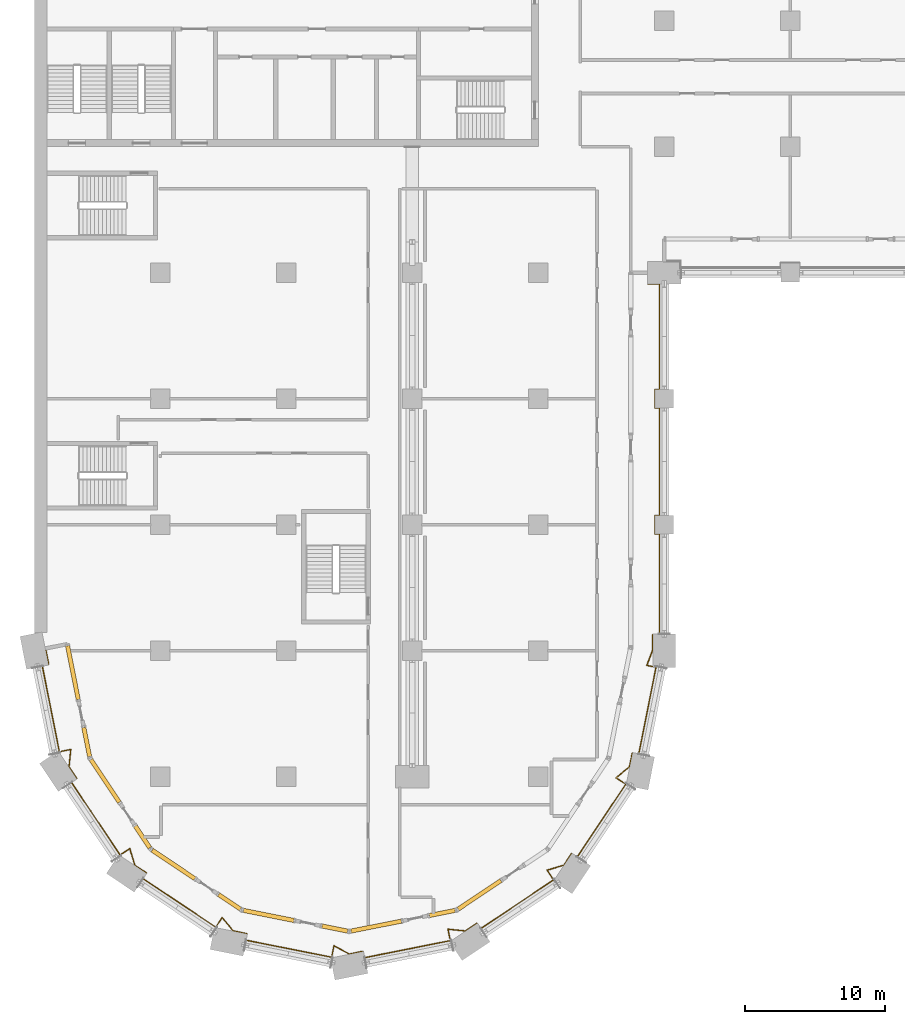
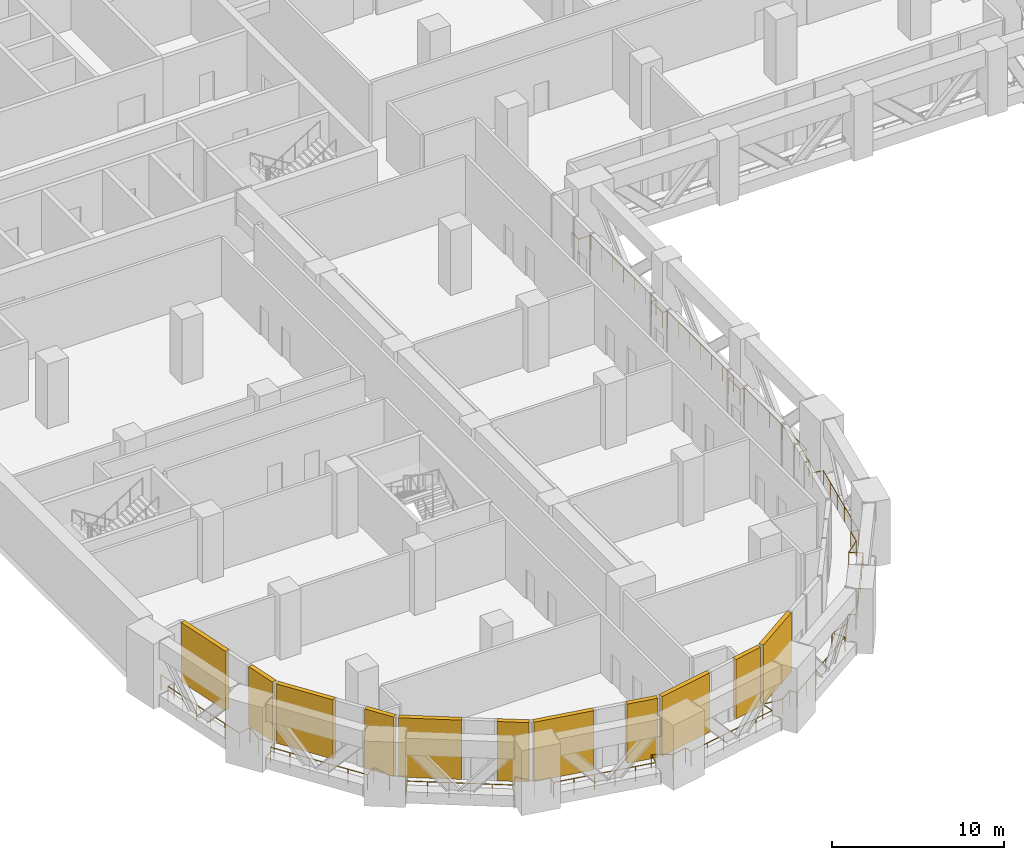
# One storey, part 20 of 24: 11 shading devices, 1 railing.
"""IFC4 building model written with IfcOpenShell, lengths in metres."""

from ifc_helpers import new_model, si_unit, direction, frame, origin, origin_2d, place, context, subcontext, project, spatial, rectangle, circle, extrude, material, layer, layer_set, type_object, element, save


model = new_model("IFC4")

# Units and contexts
model_context = context("Model", 3, precision=1e-05, world=origin(), true_north=direction((0.0, 1.0)))
body_context = subcontext(model_context, "Body", "Model", "MODEL_VIEW")
ifc_project = project(units=[si_unit("LENGTHUNIT", "METRE"), si_unit("AREAUNIT", "SQUARE_METRE"), si_unit("VOLUMEUNIT", "CUBIC_METRE"), si_unit("PLANEANGLEUNIT", "RADIAN"), si_unit("MASSUNIT", "GRAM", prefix="KILO")], contexts=[model_context])

# Site, building, storey
site_placement = place(None, origin())
site = spatial("IfcSite", under=ifc_project, at=site_placement, CompositionType="ELEMENT")
building_placement = place(site_placement, origin())
building = spatial("IfcBuilding", under=site, at=building_placement, Name="Hunhe Ridgeline Campus", CompositionType="ELEMENT")
storey_placement = place(building_placement, frame((0.0, 0.0, 80.199951171875)))
storey = spatial("IfcBuildingStorey", under=building, at=storey_placement, Name="L19", CompositionType="ELEMENT", Elevation=80.199951171875)

# Railing
ifc_material_1 = material(Name="Steel Q355", Category="steel")
railing_type = type_object("IfcRailingType", Name="Loggia guard 1100 Steel Q355", PredefinedType="GUARDRAIL", material=ifc_material_1)
railing_placement = place(storey_placement, frame((0.80419921875, 27.159912109375, 0.0)))
element("IfcRailing", 1, at=railing_placement, inside=storey, type_object=railing_type, Name="Loggia guard 1", PredefinedType="GUARDRAIL", context=body_context, shape_type="SweptSolid", body=[
    extrude(circle(Radius=0.02392578125, at=origin_2d()), frame((0.0, 0.0, 1.076171875), z_axis=(0.195095399255, -0.980784270464, 0.0), x_axis=(0.980784270464, 0.195095399255, 0.0)), (0.0, 0.0, 1.0), 1.150146484375),
    extrude(circle(Radius=0.02392578125, at=origin_2d()), frame((0.224365234375, -1.1279296875, 1.076171875), z_axis=(-0.980839571814, -0.194817181902, 0.0), x_axis=(0.194817181902, -0.980839571814, 0.0)), (0.0, 0.0, 1.0), 0.469970703125),
    extrude(circle(Radius=0.02392578125, at=origin_2d()), frame((-0.236572265625, -1.219482421875, 1.076171875), z_axis=(0.195091122585, -0.98078512116, 0.0), x_axis=(0.98078512116, 0.195091122585, 0.0)), (0.0, 0.0, 1.0), 6.27587890625),
    extrude(circle(Radius=0.02392578125, at=origin_2d()), frame((0.98779296875, -7.374755859375, 1.076171875), z_axis=(0.980805242724, 0.194989937807, 0.0), x_axis=(-0.194989937807, 0.980805242724, 0.0)), (0.0, 0.0, 1.0), 0.833984375),
    extrude(circle(Radius=0.02392578125, at=origin_2d()), frame((1.8056640625, -7.212158203125, 1.076171875), z_axis=(-0.10024174874, -0.994963110778, 0.0), x_axis=(0.994963110778, -0.10024174874, 0.0)), (0.0, 0.0, 1.0), 1.24462890625),
    extrude(circle(Radius=0.02392578125, at=origin_2d()), frame((1.680908203125, -8.450439453125, 1.076171875), z_axis=(0.555613261421, -0.831440860034, 0.0), x_axis=(0.831440860034, 0.555613261421, 0.0)), (0.0, 0.0, 1.0), 0.98681640625),
    extrude(circle(Radius=0.02392578125, at=origin_2d()), frame((2.229248046875, -9.27099609375, 1.076171875), z_axis=(-0.831650496226, -0.55529942565, 0.0), x_axis=(0.55529942565, -0.831650496226, 0.0)), (0.0, 0.0, 1.0), 0.469970703125),
    extrude(circle(Radius=0.02392578125, at=origin_2d()), frame((1.83837890625, -9.531982421875, 1.076171875), z_axis=(0.55555274607, -0.831481296443, 0.0), x_axis=(0.831481296443, 0.55555274607, 0.0)), (0.0, 0.0, 1.0), 6.27587890625),
    extrude(circle(Radius=0.02392578125, at=origin_2d()), frame((5.324951171875, -14.750244140625, 1.076171875), z_axis=(0.831419211319, 0.555645656016, 0.0), x_axis=(-0.555645656016, 0.831419211319, 0.0)), (0.0, 0.0, 1.0), 0.833984375),
    extrude(circle(Radius=0.02392578125, at=origin_2d()), frame((6.018310546875, -14.286865234375, 1.076171875), z_axis=(0.288373576958, -0.957517979002, 0.0), x_axis=(0.957517979002, 0.288373576958, 0.0)), (0.0, 0.0, 1.0), 1.24462890625),
    extrude(circle(Radius=0.02392578125, at=origin_2d()), frame((6.377197265625, -15.478515625, 1.076171875), z_axis=(0.831440860034, -0.555613261421, 0.0), x_axis=(0.555613261421, 0.831440860034, 0.0)), (0.0, 0.0, 1.0), 0.98681640625),
    extrude(circle(Radius=0.02392578125, at=origin_2d()), frame((7.19775390625, -16.02685546875, 1.076171875), z_axis=(-0.555658548717, -0.831410594856, 0.0), x_axis=(0.831410594856, -0.555658548717, 0.0)), (0.0, 0.0, 1.0), 0.47021484375),
    extrude(circle(Radius=0.02392578125, at=origin_2d()), frame((6.9365234375, -16.417724609375, 1.076171875), z_axis=(0.831469289337, -0.555570716372, 0.0), x_axis=(0.555570716372, 0.831469289337, 0.0)), (0.0, 0.0, 1.0), 6.275634765625),
    extrude(circle(Radius=0.02392578125, at=origin_2d()), frame((12.154541015625, -19.904296875, 1.076171875), z_axis=(0.555645656016, 0.831419211319, 0.0), x_axis=(-0.831419211319, 0.555645656016, 0.0)), (0.0, 0.0, 1.0), 0.833984375),
    extrude(circle(Radius=0.02392578125, at=origin_2d()), frame((12.617919921875, -19.2109375, 1.076171875), z_axis=(0.632628709191, -0.774455238414, 0.0), x_axis=(0.774455238414, 0.632628709191, 0.0)), (0.0, 0.0, 1.0), 1.24462890625),
    extrude(circle(Radius=0.02392578125, at=origin_2d()), frame((13.4052734375, -20.1748046875, 1.076171875), z_axis=(0.980770488785, -0.195164669773, 0.0), x_axis=(0.195164669773, 0.980770488785, 0.0)), (0.0, 0.0, 1.0), 0.987060546875),
    extrude(circle(Radius=0.02392578125, at=origin_2d()), frame((14.373291015625, -20.367431640625, 1.076171875), z_axis=(-0.195316901017, -0.980740183829, 0.0), x_axis=(0.980740183829, -0.195316901017, 0.0)), (0.0, 0.0, 1.0), 0.469970703125),
    extrude(circle(Radius=0.02392578125, at=origin_2d()), frame((14.281494140625, -20.828369140625, 1.076171875), z_axis=(0.98078512116, -0.195091122585, 0.0), x_axis=(0.195091122585, 0.98078512116, 0.0)), (0.0, 0.0, 1.0), 6.27587890625),
    extrude(circle(Radius=0.02392578125, at=origin_2d()), frame((20.436767578125, -22.052734375, 1.076171875), z_axis=(0.194989937807, 0.980805242724, 0.0), x_axis=(-0.980805242724, 0.194989937807, 0.0)), (0.0, 0.0, 1.0), 0.833984375),
    extrude(circle(Radius=0.02392578125, at=origin_2d()), frame((20.599365234375, -21.23486328125, 1.076171875), z_axis=(0.880980801229, -0.473152013486, 0.0), x_axis=(0.473152013486, 0.880980801229, 0.0)), (0.0, 0.0, 1.0), 1.24462890625),
    extrude(circle(Radius=0.02392578125, at=origin_2d()), frame((21.69580078125, -21.82373046875, 1.076171875), z_axis=(0.98081780924, 0.194926717196, 0.0), x_axis=(-0.194926717196, 0.98081780924, 0.0)), (0.0, 0.0, 1.0), 0.987060546875),
    extrude(circle(Radius=0.02392578125, at=origin_2d()), frame((22.663818359375, -21.63134765625, 1.076171875), z_axis=(0.194817181902, -0.980839571814, 0.0), x_axis=(0.980839571814, 0.194817181902, 0.0)), (0.0, 0.0, 1.0), 0.469970703125),
    extrude(circle(Radius=0.02392578125, at=origin_2d()), frame((22.75537109375, -22.09228515625, 1.076171875), z_axis=(0.98078512116, 0.195091122585, 0.0), x_axis=(-0.195091122585, 0.98078512116, 0.0)), (0.0, 0.0, 1.0), 6.27587890625),
    extrude(circle(Radius=0.02392578125, at=origin_2d()), frame((28.91064453125, -20.867919921875, 1.076171875), z_axis=(-0.194989937807, 0.980805242724, 0.0), x_axis=(-0.980805242724, -0.194989937807, 0.0)), (0.0, 0.0, 1.0), 0.833984375),
    extrude(circle(Radius=0.02392578125, at=origin_2d()), frame((28.748046875, -20.050048828125, 1.076171875), z_axis=(0.994963110778, -0.10024174874, 0.0), x_axis=(0.10024174874, 0.994963110778, 0.0)), (0.0, 0.0, 1.0), 1.24462890625),
    extrude(circle(Radius=0.02392578125, at=origin_2d()), frame((29.986328125, -20.1748046875, 1.076171875), z_axis=(0.831440860034, 0.555613261421, 0.0), x_axis=(-0.555613261421, 0.831440860034, 0.0)), (0.0, 0.0, 1.0), 0.98681640625),
    extrude(circle(Radius=0.02392578125, at=origin_2d()), frame((30.806884765625, -19.62646484375, 1.076171875), z_axis=(0.55529942565, -0.831650496226, 0.0), x_axis=(0.831650496226, 0.55529942565, 0.0)), (0.0, 0.0, 1.0), 0.469970703125),
    extrude(circle(Radius=0.02392578125, at=origin_2d()), frame((31.06787109375, -20.017333984375, 1.076171875), z_axis=(0.831481296443, 0.55555274607, 0.0), x_axis=(-0.55555274607, 0.831481296443, 0.0)), (0.0, 0.0, 1.0), 6.27587890625),
    extrude(circle(Radius=0.02392578125, at=origin_2d()), frame((36.2861328125, -16.53076171875, 1.076171875), z_axis=(-0.555645656016, 0.831419211319, 0.0), x_axis=(-0.831419211319, -0.555645656016, 0.0)), (0.0, 0.0, 1.0), 0.833984375),
    extrude(circle(Radius=0.02392578125, at=origin_2d()), frame((35.82275390625, -15.83740234375, 1.076171875), z_axis=(0.957517979002, 0.288373576958, 0.0), x_axis=(-0.288373576958, 0.957517979002, 0.0)), (0.0, 0.0, 1.0), 1.24462890625),
    extrude(circle(Radius=0.02392578125, at=origin_2d()), frame((37.014404296875, -15.478515625, 1.076171875), z_axis=(0.555613261421, 0.831440860034, 0.0), x_axis=(-0.831440860034, 0.555613261421, 0.0)), (0.0, 0.0, 1.0), 0.98681640625),
    extrude(circle(Radius=0.02392578125, at=origin_2d()), frame((37.562744140625, -14.657958984375, 1.076171875), z_axis=(0.831410594856, -0.555658548717, 0.0), x_axis=(0.555658548717, 0.831410594856, 0.0)), (0.0, 0.0, 1.0), 0.47021484375),
    extrude(circle(Radius=0.02392578125, at=origin_2d()), frame((37.95361328125, -14.919189453125, 1.076171875), z_axis=(0.555570716372, 0.831469289337, 0.0), x_axis=(-0.831469289337, 0.555570716372, 0.0)), (0.0, 0.0, 1.0), 6.275634765625),
    extrude(circle(Radius=0.02392578125, at=origin_2d()), frame((41.440185546875, -9.701171875, 1.076171875), z_axis=(-0.831419211319, 0.555645656016, 0.0), x_axis=(-0.555645656016, -0.831419211319, 0.0)), (0.0, 0.0, 1.0), 0.833984375),
    extrude(circle(Radius=0.02392578125, at=origin_2d()), frame((40.746826171875, -9.23779296875, 1.076171875), z_axis=(0.774455238414, 0.632628709191, 0.0), x_axis=(-0.632628709191, 0.774455238414, 0.0)), (0.0, 0.0, 1.0), 1.24462890625),
    extrude(circle(Radius=0.02392578125, at=origin_2d()), frame((41.710693359375, -8.450439453125, 1.076171875), z_axis=(0.195164669773, 0.980770488785, 0.0), x_axis=(-0.980770488785, 0.195164669773, 0.0)), (0.0, 0.0, 1.0), 0.987060546875),
    extrude(circle(Radius=0.02392578125, at=origin_2d()), frame((41.9033203125, -7.482421875, 1.076171875), z_axis=(0.980740183829, -0.195316901017, 0.0), x_axis=(0.195316901017, 0.980740183829, 0.0)), (0.0, 0.0, 1.0), 0.469970703125),
    extrude(circle(Radius=0.02392578125, at=origin_2d()), frame((42.3642578125, -7.57421875, 1.076171875), z_axis=(0.195074166836, 0.98078849373, 0.0), x_axis=(-0.98078849373, 0.195074166836, 0.0)), (0.0, 0.0, 1.0), 6.35400390625),
    extrude(circle(Radius=0.02392578125, at=origin_2d()), frame((43.603759765625, -1.34228515625, 1.076171875), z_axis=(-0.980818178173, 0.194924860818, 0.0), x_axis=(-0.194924860818, -0.980818178173, 0.0)), (0.0, 0.0, 1.0), 0.670166015625),
    extrude(circle(Radius=0.02392578125, at=origin_2d()), frame((42.946533203125, -1.211669921875, 1.076171875), z_axis=(0.354368618256, 0.935105813475, 0.0), x_axis=(-0.935105813475, 0.354368618256, 0.0)), (0.0, 0.0, 1.0), 1.211181640625),
    extrude(circle(Radius=0.02392578125, at=origin_2d()), frame((43.375732421875, -0.0791015625, 1.076171875), z_axis=(0.0, 1.0, 0.0), x_axis=(-1.0, 0.0, 0.0)), (0.0, 0.0, 1.0), 1.069091796875),
    extrude(circle(Radius=0.02392578125, at=origin_2d()), frame((43.375732421875, 0.989990234375, 1.076171875), z_axis=(1.0, 0.0, 0.0), x_axis=(0.0, 1.0, 0.0)), (0.0, 0.0, 1.0), 0.469970703125),
    extrude(circle(Radius=0.02392578125, at=origin_2d()), frame((43.845703125, 0.989990234375, 1.076171875), z_axis=(0.0, 1.0, 0.0), x_axis=(-1.0, 0.0, 0.0)), (0.0, 0.0, 1.0), 7.2001953125),
    extrude(circle(Radius=0.02392578125, at=origin_2d()), frame((43.845703125, 8.190185546875, 1.076171875), z_axis=(-1.0, 0.0, 0.0), x_axis=(0.0, -1.0, 0.0)), (0.0, 0.0, 1.0), 0.31982421875),
    extrude(circle(Radius=0.02392578125, at=origin_2d()), frame((43.52587890625, 8.190185546875, 1.076171875), z_axis=(0.0, 1.0, 0.0), x_axis=(-1.0, 0.0, 0.0)), (0.0, 0.0, 1.0), 1.2998046875),
    extrude(circle(Radius=0.02392578125, at=origin_2d()), frame((43.52587890625, 9.489990234375, 1.076171875), z_axis=(1.0, 0.0, 0.0), x_axis=(0.0, 1.0, 0.0)), (0.0, 0.0, 1.0), 0.31982421875),
    extrude(circle(Radius=0.02392578125, at=origin_2d()), frame((43.845703125, 9.489990234375, 1.076171875), z_axis=(0.0, 1.0, 0.0), x_axis=(-1.0, 0.0, 0.0)), (0.0, 0.0, 1.0), 7.7001953125),
    extrude(circle(Radius=0.02392578125, at=origin_2d()), frame((43.845703125, 17.190185546875, 1.076171875), z_axis=(-1.0, 0.0, 0.0), x_axis=(0.0, -1.0, 0.0)), (0.0, 0.0, 1.0), 0.31982421875),
    extrude(circle(Radius=0.02392578125, at=origin_2d()), frame((43.52587890625, 17.190185546875, 1.076171875), z_axis=(0.0, 1.0, 0.0), x_axis=(-1.0, 0.0, 0.0)), (0.0, 0.0, 1.0), 1.2998046875),
    extrude(circle(Radius=0.02392578125, at=origin_2d()), frame((43.52587890625, 18.489990234375, 1.076171875), z_axis=(1.0, 0.0, 0.0), x_axis=(0.0, 1.0, 0.0)), (0.0, 0.0, 1.0), 0.31982421875),
    extrude(circle(Radius=0.02392578125, at=origin_2d()), frame((43.845703125, 18.489990234375, 1.076171875), z_axis=(0.0, 1.0, 0.0), x_axis=(-1.0, 0.0, 0.0)), (0.0, 0.0, 1.0), 7.550048828125),
    extrude(circle(Radius=0.02392578125, at=origin_2d()), frame((43.845703125, 26.0400390625, 1.076171875), z_axis=(-1.0, 0.0, 0.0), x_axis=(0.0, -1.0, 0.0)), (0.0, 0.0, 1.0), 0.81982421875),
    extrude(circle(Radius=0.02392578125, at=origin_2d()), frame((43.02587890625, 26.0400390625, 1.076171875), z_axis=(0.0, 1.0, 0.0), x_axis=(-1.0, 0.0, 0.0)), (0.0, 0.0, 1.0), 0.800048828125),
    extrude(circle(Radius=0.02099609375, at=origin_2d()), origin(), (0.0, 0.0, 1.0), 1.052001953125),
    extrude(circle(Radius=0.02099609375, at=origin_2d()), frame((0.224365234375, -1.1279296875, 0.0)), (0.0, 0.0, 1.0), 1.052001953125),
    extrude(circle(Radius=0.02099609375, at=origin_2d()), frame((-0.236572265625, -1.219482421875, 0.0)), (0.0, 0.0, 1.0), 1.052001953125),
    extrude(circle(Radius=0.02099609375, at=origin_2d()), frame((0.00830078125, -2.450439453125, 0.0)), (0.0, 0.0, 1.0), 1.052001953125),
    extrude(circle(Radius=0.02099609375, at=origin_2d()), frame((0.253173828125, -3.681640625, 0.0)), (0.0, 0.0, 1.0), 1.052001953125),
    extrude(circle(Radius=0.02099609375, at=origin_2d()), frame((0.498046875, -4.91259765625, 0.0)), (0.0, 0.0, 1.0), 1.052001953125),
    extrude(circle(Radius=0.02099609375, at=origin_2d()), frame((0.742919921875, -6.143798828125, 0.0)), (0.0, 0.0, 1.0), 1.052001953125),
    extrude(circle(Radius=0.02099609375, at=origin_2d()), frame((0.98779296875, -7.374755859375, 0.0)), (0.0, 0.0, 1.0), 1.052001953125),
    extrude(circle(Radius=0.02099609375, at=origin_2d()), frame((1.8056640625, -7.212158203125, 0.0)), (0.0, 0.0, 1.0), 1.052001953125),
    extrude(circle(Radius=0.02099609375, at=origin_2d()), frame((1.680908203125, -8.450439453125, 0.0)), (0.0, 0.0, 1.0), 1.052001953125),
    extrude(circle(Radius=0.02099609375, at=origin_2d()), frame((2.229248046875, -9.27099609375, 0.0)), (0.0, 0.0, 1.0), 1.052001953125),
    extrude(circle(Radius=0.02099609375, at=origin_2d()), frame((1.83837890625, -9.531982421875, 0.0)), (0.0, 0.0, 1.0), 1.052001953125),
    extrude(circle(Radius=0.02099609375, at=origin_2d()), frame((2.53564453125, -10.57568359375, 0.0)), (0.0, 0.0, 1.0), 1.052001953125),
    extrude(circle(Radius=0.02099609375, at=origin_2d()), frame((3.23291015625, -11.619384765625, 0.0)), (0.0, 0.0, 1.0), 1.052001953125),
    extrude(circle(Radius=0.02099609375, at=origin_2d()), frame((3.930419921875, -12.662841796875, 0.0)), (0.0, 0.0, 1.0), 1.052001953125),
    extrude(circle(Radius=0.02099609375, at=origin_2d()), frame((4.627685546875, -13.70654296875, 0.0)), (0.0, 0.0, 1.0), 1.052001953125),
    extrude(circle(Radius=0.02099609375, at=origin_2d()), frame((5.324951171875, -14.750244140625, 0.0)), (0.0, 0.0, 1.0), 1.052001953125),
    extrude(circle(Radius=0.02099609375, at=origin_2d()), frame((6.018310546875, -14.286865234375, 0.0)), (0.0, 0.0, 1.0), 1.052001953125),
    extrude(circle(Radius=0.02099609375, at=origin_2d()), frame((6.377197265625, -15.478515625, 0.0)), (0.0, 0.0, 1.0), 1.052001953125),
    extrude(circle(Radius=0.02099609375, at=origin_2d()), frame((7.19775390625, -16.02685546875, 0.0)), (0.0, 0.0, 1.0), 1.052001953125),
    extrude(circle(Radius=0.02099609375, at=origin_2d()), frame((6.9365234375, -16.417724609375, 0.0)), (0.0, 0.0, 1.0), 1.052001953125),
    extrude(circle(Radius=0.02099609375, at=origin_2d()), frame((7.980224609375, -17.114990234375, 0.0)), (0.0, 0.0, 1.0), 1.052001953125),
    extrude(circle(Radius=0.02099609375, at=origin_2d()), frame((9.023681640625, -17.812255859375, 0.0)), (0.0, 0.0, 1.0), 1.052001953125),
    extrude(circle(Radius=0.02099609375, at=origin_2d()), frame((10.0673828125, -18.509765625, 0.0)), (0.0, 0.0, 1.0), 1.052001953125),
    extrude(circle(Radius=0.02099609375, at=origin_2d()), frame((11.11083984375, -19.20703125, 0.0)), (0.0, 0.0, 1.0), 1.052001953125),
    extrude(circle(Radius=0.02099609375, at=origin_2d()), frame((12.154541015625, -19.904296875, 0.0)), (0.0, 0.0, 1.0), 1.052001953125),
    extrude(circle(Radius=0.02099609375, at=origin_2d()), frame((12.617919921875, -19.2109375, 0.0)), (0.0, 0.0, 1.0), 1.052001953125),
    extrude(circle(Radius=0.02099609375, at=origin_2d()), frame((13.4052734375, -20.1748046875, 0.0)), (0.0, 0.0, 1.0), 1.052001953125),
    extrude(circle(Radius=0.02099609375, at=origin_2d()), frame((14.373291015625, -20.367431640625, 0.0)), (0.0, 0.0, 1.0), 1.052001953125),
    extrude(circle(Radius=0.02099609375, at=origin_2d()), frame((14.281494140625, -20.828369140625, 0.0)), (0.0, 0.0, 1.0), 1.052001953125),
    extrude(circle(Radius=0.02099609375, at=origin_2d()), frame((15.512451171875, -21.0732421875, 0.0)), (0.0, 0.0, 1.0), 1.052001953125),
    extrude(circle(Radius=0.02099609375, at=origin_2d()), frame((16.74365234375, -21.318115234375, 0.0)), (0.0, 0.0, 1.0), 1.052001953125),
    extrude(circle(Radius=0.02099609375, at=origin_2d()), frame((17.974609375, -21.56298828125, 0.0)), (0.0, 0.0, 1.0), 1.052001953125),
    extrude(circle(Radius=0.02099609375, at=origin_2d()), frame((19.205810546875, -21.807861328125, 0.0)), (0.0, 0.0, 1.0), 1.052001953125),
    extrude(circle(Radius=0.02099609375, at=origin_2d()), frame((20.436767578125, -22.052734375, 0.0)), (0.0, 0.0, 1.0), 1.052001953125),
    extrude(circle(Radius=0.02099609375, at=origin_2d()), frame((20.599365234375, -21.23486328125, 0.0)), (0.0, 0.0, 1.0), 1.052001953125),
    extrude(circle(Radius=0.02099609375, at=origin_2d()), frame((21.69580078125, -21.82373046875, 0.0)), (0.0, 0.0, 1.0), 1.052001953125),
    extrude(circle(Radius=0.02099609375, at=origin_2d()), frame((22.663818359375, -21.63134765625, 0.0)), (0.0, 0.0, 1.0), 1.052001953125),
    extrude(circle(Radius=0.02099609375, at=origin_2d()), frame((22.75537109375, -22.09228515625, 0.0)), (0.0, 0.0, 1.0), 1.052001953125),
    extrude(circle(Radius=0.02099609375, at=origin_2d()), frame((23.986328125, -21.847412109375, 0.0)), (0.0, 0.0, 1.0), 1.052001953125),
    extrude(circle(Radius=0.02099609375, at=origin_2d()), frame((25.217529296875, -21.6025390625, 0.0)), (0.0, 0.0, 1.0), 1.052001953125),
    extrude(circle(Radius=0.02099609375, at=origin_2d()), frame((26.448486328125, -21.357666015625, 0.0)), (0.0, 0.0, 1.0), 1.052001953125),
    extrude(circle(Radius=0.02099609375, at=origin_2d()), frame((27.6796875, -21.11279296875, 0.0)), (0.0, 0.0, 1.0), 1.052001953125),
    extrude(circle(Radius=0.02099609375, at=origin_2d()), frame((28.91064453125, -20.867919921875, 0.0)), (0.0, 0.0, 1.0), 1.052001953125),
    extrude(circle(Radius=0.02099609375, at=origin_2d()), frame((28.748046875, -20.050048828125, 0.0)), (0.0, 0.0, 1.0), 1.052001953125),
    extrude(circle(Radius=0.02099609375, at=origin_2d()), frame((29.986328125, -20.1748046875, 0.0)), (0.0, 0.0, 1.0), 1.052001953125),
    extrude(circle(Radius=0.02099609375, at=origin_2d()), frame((30.806884765625, -19.62646484375, 0.0)), (0.0, 0.0, 1.0), 1.052001953125),
    extrude(circle(Radius=0.02099609375, at=origin_2d()), frame((31.06787109375, -20.017333984375, 0.0)), (0.0, 0.0, 1.0), 1.052001953125),
    extrude(circle(Radius=0.02099609375, at=origin_2d()), frame((32.111572265625, -19.320068359375, 0.0)), (0.0, 0.0, 1.0), 1.052001953125),
    extrude(circle(Radius=0.02099609375, at=origin_2d()), frame((33.1552734375, -18.622802734375, 0.0)), (0.0, 0.0, 1.0), 1.052001953125),
    extrude(circle(Radius=0.02099609375, at=origin_2d()), frame((34.19873046875, -17.92529296875, 0.0)), (0.0, 0.0, 1.0), 1.052001953125),
    extrude(circle(Radius=0.02099609375, at=origin_2d()), frame((35.242431640625, -17.22802734375, 0.0)), (0.0, 0.0, 1.0), 1.052001953125),
    extrude(circle(Radius=0.02099609375, at=origin_2d()), frame((36.2861328125, -16.53076171875, 0.0)), (0.0, 0.0, 1.0), 1.052001953125),
    extrude(circle(Radius=0.02099609375, at=origin_2d()), frame((35.82275390625, -15.83740234375, 0.0)), (0.0, 0.0, 1.0), 1.052001953125),
    extrude(circle(Radius=0.02099609375, at=origin_2d()), frame((37.014404296875, -15.478515625, 0.0)), (0.0, 0.0, 1.0), 1.052001953125),
    extrude(circle(Radius=0.02099609375, at=origin_2d()), frame((37.562744140625, -14.657958984375, 0.0)), (0.0, 0.0, 1.0), 1.052001953125),
    extrude(circle(Radius=0.02099609375, at=origin_2d()), frame((37.95361328125, -14.919189453125, 0.0)), (0.0, 0.0, 1.0), 1.052001953125),
    extrude(circle(Radius=0.02099609375, at=origin_2d()), frame((38.65087890625, -13.87548828125, 0.0)), (0.0, 0.0, 1.0), 1.052001953125),
    extrude(circle(Radius=0.02099609375, at=origin_2d()), frame((39.34814453125, -12.83203125, 0.0)), (0.0, 0.0, 1.0), 1.052001953125),
    extrude(circle(Radius=0.02099609375, at=origin_2d()), frame((40.045654296875, -11.788330078125, 0.0)), (0.0, 0.0, 1.0), 1.052001953125),
    extrude(circle(Radius=0.02099609375, at=origin_2d()), frame((40.742919921875, -10.744873046875, 0.0)), (0.0, 0.0, 1.0), 1.052001953125),
    extrude(circle(Radius=0.02099609375, at=origin_2d()), frame((41.440185546875, -9.701171875, 0.0)), (0.0, 0.0, 1.0), 1.052001953125),
    extrude(circle(Radius=0.02099609375, at=origin_2d()), frame((40.746826171875, -9.23779296875, 0.0)), (0.0, 0.0, 1.0), 1.052001953125),
    extrude(circle(Radius=0.02099609375, at=origin_2d()), frame((41.710693359375, -8.450439453125, 0.0)), (0.0, 0.0, 1.0), 1.052001953125),
    extrude(circle(Radius=0.02099609375, at=origin_2d()), frame((41.9033203125, -7.482421875, 0.0)), (0.0, 0.0, 1.0), 1.052001953125),
    extrude(circle(Radius=0.02099609375, at=origin_2d()), frame((42.3642578125, -7.57421875, 0.0)), (0.0, 0.0, 1.0), 1.052001953125),
    extrude(circle(Radius=0.02099609375, at=origin_2d()), frame((42.612060546875, -6.327880859375, 0.0)), (0.0, 0.0, 1.0), 1.052001953125),
    extrude(circle(Radius=0.02099609375, at=origin_2d()), frame((42.860107421875, -5.08154296875, 0.0)), (0.0, 0.0, 1.0), 1.052001953125),
    extrude(circle(Radius=0.02099609375, at=origin_2d()), frame((43.10791015625, -3.8349609375, 0.0)), (0.0, 0.0, 1.0), 1.052001953125),
    extrude(circle(Radius=0.02099609375, at=origin_2d()), frame((43.35595703125, -2.588623046875, 0.0)), (0.0, 0.0, 1.0), 1.052001953125),
    extrude(circle(Radius=0.02099609375, at=origin_2d()), frame((43.603759765625, -1.34228515625, 0.0)), (0.0, 0.0, 1.0), 1.052001953125),
    extrude(circle(Radius=0.02099609375, at=origin_2d()), frame((42.946533203125, -1.211669921875, 0.0)), (0.0, 0.0, 1.0), 1.052001953125),
    extrude(circle(Radius=0.02099609375, at=origin_2d()), frame((43.375732421875, -0.0791015625, 0.0)), (0.0, 0.0, 1.0), 1.052001953125),
    extrude(circle(Radius=0.02099609375, at=origin_2d()), frame((43.375732421875, 0.989990234375, 0.0)), (0.0, 0.0, 1.0), 1.052001953125),
    extrude(circle(Radius=0.02099609375, at=origin_2d()), frame((43.845703125, 0.989990234375, 0.0)), (0.0, 0.0, 1.0), 1.052001953125),
    extrude(circle(Radius=0.02099609375, at=origin_2d()), frame((43.845703125, 2.429931640625, 0.0)), (0.0, 0.0, 1.0), 1.052001953125),
    extrude(circle(Radius=0.02099609375, at=origin_2d()), frame((43.845703125, 3.8701171875, 0.0)), (0.0, 0.0, 1.0), 1.052001953125),
    extrude(circle(Radius=0.02099609375, at=origin_2d()), frame((43.845703125, 5.31005859375, 0.0)), (0.0, 0.0, 1.0), 1.052001953125),
    extrude(circle(Radius=0.02099609375, at=origin_2d()), frame((43.845703125, 6.750244140625, 0.0)), (0.0, 0.0, 1.0), 1.052001953125),
    extrude(circle(Radius=0.02099609375, at=origin_2d()), frame((43.845703125, 8.190185546875, 0.0)), (0.0, 0.0, 1.0), 1.052001953125),
    extrude(circle(Radius=0.02099609375, at=origin_2d()), frame((43.52587890625, 8.190185546875, 0.0)), (0.0, 0.0, 1.0), 1.052001953125),
    extrude(circle(Radius=0.02099609375, at=origin_2d()), frame((43.52587890625, 9.489990234375, 0.0)), (0.0, 0.0, 1.0), 1.052001953125),
    extrude(circle(Radius=0.02099609375, at=origin_2d()), frame((43.845703125, 9.489990234375, 0.0)), (0.0, 0.0, 1.0), 1.052001953125),
    extrude(circle(Radius=0.02099609375, at=origin_2d()), frame((43.845703125, 10.7734375, 0.0)), (0.0, 0.0, 1.0), 1.052001953125),
    extrude(circle(Radius=0.02099609375, at=origin_2d()), frame((43.845703125, 12.056640625, 0.0)), (0.0, 0.0, 1.0), 1.052001953125),
    extrude(circle(Radius=0.02099609375, at=origin_2d()), frame((43.845703125, 13.340087890625, 0.0)), (0.0, 0.0, 1.0), 1.052001953125),
    extrude(circle(Radius=0.02099609375, at=origin_2d()), frame((43.845703125, 14.62353515625, 0.0)), (0.0, 0.0, 1.0), 1.052001953125),
    extrude(circle(Radius=0.02099609375, at=origin_2d()), frame((43.845703125, 15.90673828125, 0.0)), (0.0, 0.0, 1.0), 1.052001953125),
    extrude(circle(Radius=0.02099609375, at=origin_2d()), frame((43.845703125, 17.190185546875, 0.0)), (0.0, 0.0, 1.0), 1.052001953125),
    extrude(circle(Radius=0.02099609375, at=origin_2d()), frame((43.52587890625, 17.190185546875, 0.0)), (0.0, 0.0, 1.0), 1.052001953125),
    extrude(circle(Radius=0.02099609375, at=origin_2d()), frame((43.52587890625, 18.489990234375, 0.0)), (0.0, 0.0, 1.0), 1.052001953125),
    extrude(circle(Radius=0.02099609375, at=origin_2d()), frame((43.845703125, 18.489990234375, 0.0)), (0.0, 0.0, 1.0), 1.052001953125),
    extrude(circle(Radius=0.02099609375, at=origin_2d()), frame((43.845703125, 19.748291015625, 0.0)), (0.0, 0.0, 1.0), 1.052001953125),
    extrude(circle(Radius=0.02099609375, at=origin_2d()), frame((43.845703125, 21.006591796875, 0.0)), (0.0, 0.0, 1.0), 1.052001953125),
    extrude(circle(Radius=0.02099609375, at=origin_2d()), frame((43.845703125, 22.26513671875, 0.0)), (0.0, 0.0, 1.0), 1.052001953125),
    extrude(circle(Radius=0.02099609375, at=origin_2d()), frame((43.845703125, 23.5234375, 0.0)), (0.0, 0.0, 1.0), 1.052001953125),
    extrude(circle(Radius=0.02099609375, at=origin_2d()), frame((43.845703125, 24.78173828125, 0.0)), (0.0, 0.0, 1.0), 1.052001953125),
    extrude(circle(Radius=0.02099609375, at=origin_2d()), frame((43.845703125, 26.0400390625, 0.0)), (0.0, 0.0, 1.0), 1.052001953125),
    extrude(circle(Radius=0.02099609375, at=origin_2d()), frame((43.02587890625, 26.0400390625, 0.0)), (0.0, 0.0, 1.0), 1.052001953125),
    extrude(circle(Radius=0.02099609375, at=origin_2d()), frame((43.02587890625, 26.840087890625, 0.0)), (0.0, 0.0, 1.0), 1.052001953125),
])

# Shading devices
ifc_material_2 = material(Name="Aluminium 6063", Category="aluminium")
ifc_layer = layer(ifc_material_2, 0.300048828125)
ifc_layer_set = layer_set([ifc_layer], Name="Louvre bank 300 Aluminium 6063")
shading_device_type = type_object("IfcShadingDeviceType", Name="Louvre bank 300 Aluminium 6063", PredefinedType="USERDEFINED", material=ifc_layer_set)
shading_device_1_placement = place(storey_placement, frame((2.759765625, 25.43310546875, 0.0), z_axis=(0.0, 0.0, 1.0), x_axis=(0.195095347137, -0.980784280831, 0.0)))
element("IfcShadingDevice", 2, at=shading_device_1_placement, inside=storey, type_object=shading_device_type, Name="Louvre bank 1", ObjectType="LOUVRE", PredefinedType="USERDEFINED", context=body_context, shape_type="SweptSolid", body=[
    extrude(rectangle(XDim=3.910888671875, YDim=0.300048828125, at=origin_2d()), origin(), (0.0, 0.0, 1.0), 4.199951171875),
])
shading_device_2_placement = place(storey_placement, frame((3.7451171875, 20.479248046875, 0.0), z_axis=(0.0, 0.0, 1.0), x_axis=(0.195095217605, -0.980784306597, 0.0)))
element("IfcShadingDevice", 3, at=shading_device_2_placement, inside=storey, type_object=shading_device_type, Name="Louvre bank 2", ObjectType="LOUVRE", PredefinedType="USERDEFINED", context=body_context, shape_type="SweptSolid", body=[
    extrude(rectangle(XDim=2.11083984375, YDim=0.300048828125, at=origin_2d()), origin(), (0.0, 0.0, 1.0), 4.199951171875),
])
shading_device_3_placement = place(storey_placement, frame((5.06103515625, 17.7001953125, 0.0), z_axis=(0.0, 0.0, 1.0), x_axis=(0.555570362959, -0.83146952548, 0.0)))
element("IfcShadingDevice", 4, at=shading_device_3_placement, inside=storey, type_object=shading_device_type, Name="Louvre bank 3", ObjectType="LOUVRE", PredefinedType="USERDEFINED", context=body_context, shape_type="SweptSolid", body=[
    extrude(rectangle(XDim=3.671875, YDim=0.300048828125, at=origin_2d()), origin(), (0.0, 0.0, 1.0), 4.199951171875),
])
shading_device_4_placement = place(storey_placement, frame((7.734375, 13.69921875, 0.0), z_axis=(0.0, 0.0, 1.0), x_axis=(0.555570217564, -0.831469622629, 0.0)))
element("IfcShadingDevice", 5, at=shading_device_4_placement, inside=storey, type_object=shading_device_type, Name="Louvre bank 4", ObjectType="LOUVRE", PredefinedType="USERDEFINED", context=body_context, shape_type="SweptSolid", body=[
    extrude(rectangle(XDim=1.871826171875, YDim=0.300048828125, at=origin_2d()), origin(), (0.0, 0.0, 1.0), 4.199951171875),
])
shading_device_5_placement = place(storey_placement, frame((9.947509765625, 11.734375, 0.0), z_axis=(0.0, 0.0, 1.0), x_axis=(0.831469643564, -0.555570186233, 0.0)))
element("IfcShadingDevice", 6, at=shading_device_5_placement, inside=storey, type_object=shading_device_type, Name="Louvre bank 5", ObjectType="LOUVRE", PredefinedType="USERDEFINED", context=body_context, shape_type="SweptSolid", body=[
    extrude(rectangle(XDim=3.671875, YDim=0.300048828125, at=origin_2d()), origin(), (0.0, 0.0, 1.0), 4.199951171875),
])
shading_device_6_placement = place(storey_placement, frame((13.948486328125, 9.06103515625, 0.0), z_axis=(0.0, 0.0, 1.0), x_axis=(0.831469622629, -0.555570217564, 0.0)))
element("IfcShadingDevice", 7, at=shading_device_6_placement, inside=storey, type_object=shading_device_type, Name="Louvre bank 6", ObjectType="LOUVRE", PredefinedType="USERDEFINED", context=body_context, shape_type="SweptSolid", body=[
    extrude(rectangle(XDim=1.871826171875, YDim=0.300048828125, at=origin_2d()), origin(), (0.0, 0.0, 1.0), 4.199951171875),
])
shading_device_7_placement = place(storey_placement, frame((16.744873046875, 8.0927734375, 0.0), z_axis=(0.0, 0.0, 1.0), x_axis=(0.980785299781, -0.195090224598, 0.0)))
element("IfcShadingDevice", 8, at=shading_device_7_placement, inside=storey, type_object=shading_device_type, Name="Louvre bank 7", ObjectType="LOUVRE", PredefinedType="USERDEFINED", context=body_context, shape_type="SweptSolid", body=[
    extrude(rectangle(XDim=3.671875, YDim=0.300048828125, at=origin_2d()), origin(), (0.0, 0.0, 1.0), 4.199951171875),
])
shading_device_8_placement = place(storey_placement, frame((21.46435546875, 7.154052734375, 0.0), z_axis=(0.0, 0.0, 1.0), x_axis=(0.980785272878, -0.195090359847, 0.0)))
element("IfcShadingDevice", 9, at=shading_device_8_placement, inside=storey, type_object=shading_device_type, Name="Louvre bank 8", ObjectType="LOUVRE", PredefinedType="USERDEFINED", context=body_context, shape_type="SweptSolid", body=[
    extrude(rectangle(XDim=1.871826171875, YDim=0.300048828125, at=origin_2d()), origin(), (0.0, 0.0, 1.0), 4.199951171875),
])
shading_device_9_placement = place(storey_placement, frame((24.41845703125, 7.32958984375, 0.0), z_axis=(0.0, 0.0, 1.0), x_axis=(0.980785250869, 0.195090470497, 0.0)))
element("IfcShadingDevice", 10, at=shading_device_9_placement, inside=storey, type_object=shading_device_type, Name="Louvre bank 9", ObjectType="LOUVRE", PredefinedType="USERDEFINED", context=body_context, shape_type="SweptSolid", body=[
    extrude(rectangle(XDim=3.671875, YDim=0.300048828125, at=origin_2d()), origin(), (0.0, 0.0, 1.0), 4.199951171875),
])
shading_device_10_placement = place(storey_placement, frame((29.137939453125, 8.268310546875, 0.0), z_axis=(0.0, 0.0, 1.0), x_axis=(0.980785272878, 0.195090359847, 0.0)))
element("IfcShadingDevice", 11, at=shading_device_10_placement, inside=storey, type_object=shading_device_type, Name="Louvre bank 10", ObjectType="LOUVRE", PredefinedType="USERDEFINED", context=body_context, shape_type="SweptSolid", body=[
    extrude(rectangle(XDim=1.871826171875, YDim=0.300048828125, at=origin_2d()), origin(), (0.0, 0.0, 1.0), 4.199951171875),
])
shading_device_11_placement = place(storey_placement, frame((31.7998046875, 9.56103515625, 0.0), z_axis=(0.0, 0.0, 1.0), x_axis=(0.83146952548, 0.555570362959, 0.0)))
element("IfcShadingDevice", 12, at=shading_device_11_placement, inside=storey, type_object=shading_device_type, Name="Louvre bank 11", ObjectType="LOUVRE", PredefinedType="USERDEFINED", context=body_context, shape_type="SweptSolid", body=[
    extrude(rectangle(XDim=3.671875, YDim=0.300048828125, at=origin_2d()), origin(), (0.0, 0.0, 1.0), 4.199951171875),
])

save(model, "model.ifc")
